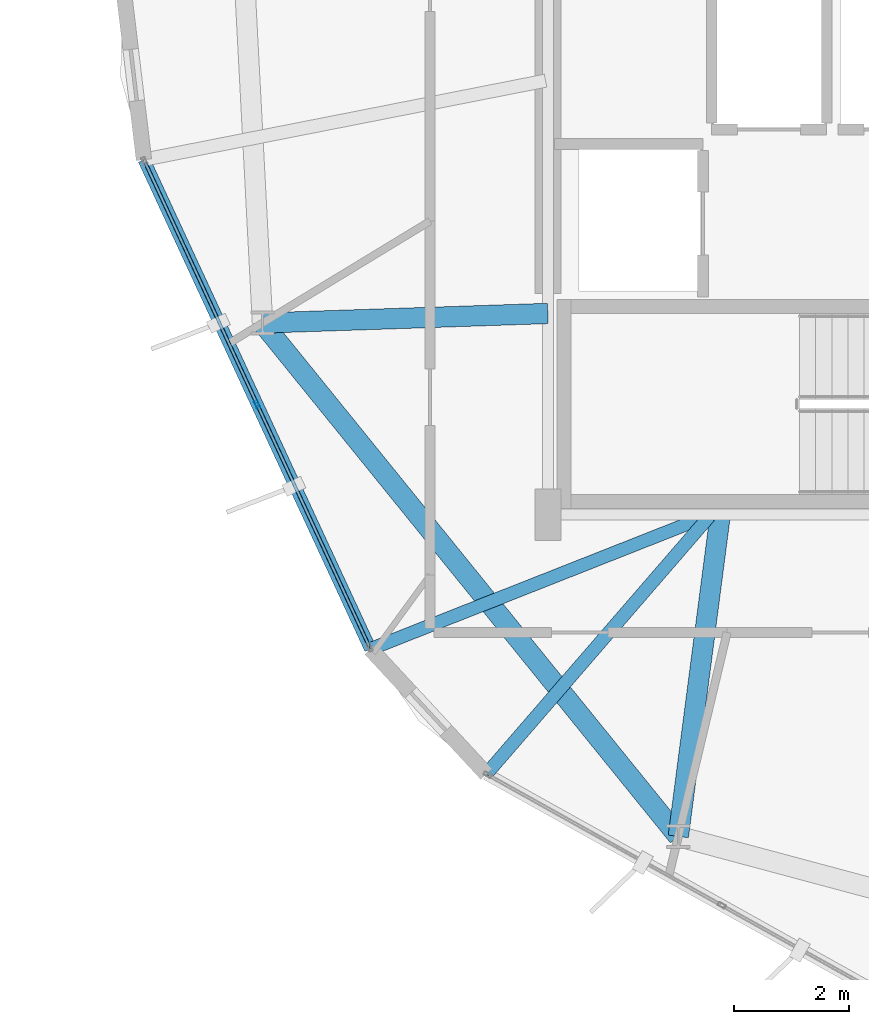
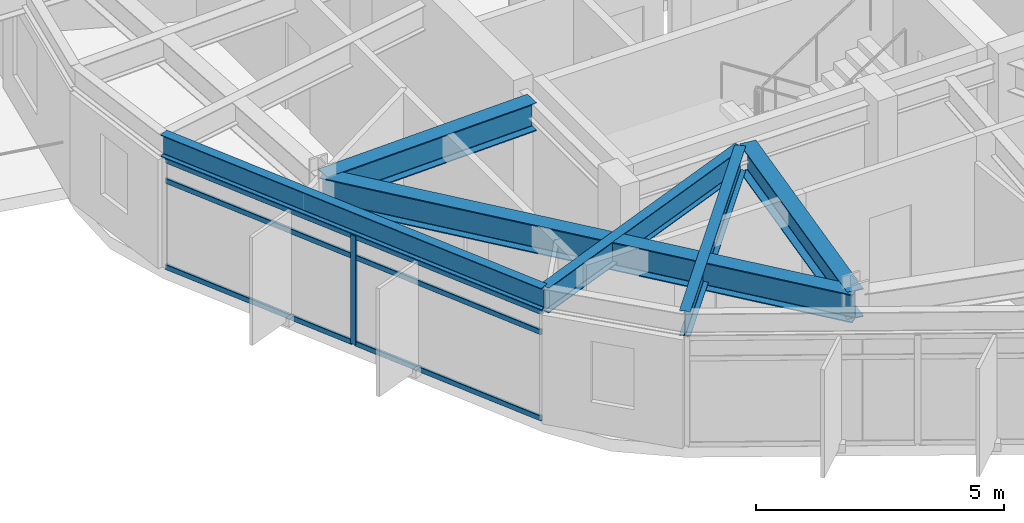
# One storey, part 3 of 25: 7 members, 6 beams, 1 element without a shape of its own.
"""IFC4 building model written with IfcOpenShell, lengths in metres."""

import ifcopenshell
import ifcopenshell.guid

model = None  # the IFC model being written
_history = None  # IfcOwnerHistory: only IFC2X3 demands one
_inside = {}  # id of a spatial element -> (the spatial element, [elements in it])
_under = {}  # id of a project, library or spatial element -> (it, [spatial elements below it])
_declared = {}  # id of a project -> (the project, [libraries it declares])
_typed = {}  # id of a type object -> (the type object, [elements of that type])
_made_of = {}  # id of a material, layer set ... -> (it, [elements and type objects made of it])


def new_model(schema):
    """Start an empty IFC model of exactly this schema.

    Asked for "IFC4X3", IfcOpenShell would pick the latest addendum, in which some entities
    have other attributes; the version numbers below select the first issue.
    IFC2X3 requires an IfcOwnerHistory on every rooted entity: one is made here for all.
    """
    global model, _history
    if schema == "IFC4X3":
        model = ifcopenshell.file(schema_version=(4, 3, 0, 0))
    else:
        model = ifcopenshell.file(schema=schema)
    _inside.clear()
    _under.clear()
    _declared.clear()
    _typed.clear()
    _made_of.clear()
    _history = None
    if model.schema == "IFC2X3":
        org = make("IfcOrganization", Name="unknown")
        user = make(
            "IfcPersonAndOrganization",
            ThePerson=make("IfcPerson", FamilyName="unknown"),
            TheOrganization=org,
        )
        app = make(
            "IfcApplication",
            ApplicationDeveloper=org,
            Version="unknown",
            ApplicationFullName="unknown",
            ApplicationIdentifier="unknown",
        )
        _history = make(
            "IfcOwnerHistory",
            OwningUser=user,
            OwningApplication=app,
            ChangeAction="ADDED",
            CreationDate=0,
        )
    return model


def make(cls, **values):
    """One entity of the class cls with the attributes given. An attribute that is None is left unset."""
    return model.create_entity(
        cls, **{name: value for name, value in values.items() if value is not None}
    )


def rooted(cls, **values):
    """An entity with a GlobalId (a new one), such as an element, a storey or a relation."""
    return make(cls, GlobalId=ifcopenshell.guid.new(), OwnerHistory=_history, **values)


def si_unit(unit_type, name, prefix=None):
    """IfcSIUnit, for example si_unit("LENGTHUNIT", "METRE", prefix="MILLI")."""
    return make("IfcSIUnit", UnitType=unit_type, Prefix=prefix, Name=name)


def assignment(units):
    """IfcUnitAssignment: the units of a project."""
    return None if units is None else make("IfcUnitAssignment", Units=units)


def point(xyz):
    """IfcCartesianPoint."""
    return None if xyz is None else make("IfcCartesianPoint", Coordinates=xyz)


def direction(xyz):
    """IfcDirection."""
    return None if xyz is None else make("IfcDirection", DirectionRatios=xyz)


def frame(location, z_axis=None, x_axis=None):
    """IfcAxis2Placement3D, a coordinate frame: its origin and axes. An axis left out is left unset."""
    return make(
        "IfcAxis2Placement3D",
        Location=point(location),
        Axis=direction(z_axis),
        RefDirection=direction(x_axis),
    )


def frame_2d(location, x_axis=None):
    """IfcAxis2Placement2D, a coordinate frame in the plane: its origin and x axis."""
    return make(
        "IfcAxis2Placement2D", Location=point(location), RefDirection=direction(x_axis)
    )


def origin():
    """The frame at (0, 0, 0) with its axes left unset."""
    return frame((0.0, 0.0, 0.0))


def origin_2d():
    """The frame at (0, 0) in the plane with its x axis left unset."""
    return frame_2d((0.0, 0.0))


def place(relative_to, where):
    """IfcLocalPlacement: puts the frame where relative to a parent placement (None: the world)."""
    return make(
        "IfcLocalPlacement", PlacementRelTo=relative_to, RelativePlacement=where
    )


def context(
    kind, dimensions, precision=None, world=None, true_north=None, identifier=None
):
    """IfcGeometricRepresentationContext, for example the 3D "Model" context."""
    return make(
        "IfcGeometricRepresentationContext",
        ContextIdentifier=identifier,
        ContextType=kind,
        CoordinateSpaceDimension=dimensions,
        Precision=precision,
        WorldCoordinateSystem=world,
        TrueNorth=true_north,
    )


def subcontext(parent, identifier, kind, view, scale=None):
    """IfcGeometricRepresentationSubContext, for example "Body" below "Model"."""
    return make(
        "IfcGeometricRepresentationSubContext",
        ContextIdentifier=identifier,
        ContextType=kind,
        ParentContext=parent,
        TargetScale=scale,
        TargetView=view,
    )


def project(units=None, contexts=None):
    """IfcProject with its units and contexts."""
    return rooted(
        "IfcProject",
        Name="project",
        RepresentationContexts=contexts,
        UnitsInContext=assignment(units),
    )


def spatial(cls, under=None, at=None, **own):
    """A site, building, storey or space (cls), placed at a placement, below another one or the project."""
    s = rooted(cls, ObjectPlacement=at, **own)
    if under is not None:
        _under.setdefault(under.id(), (under, []))[1].append(s)
    return s


def profile(cls, at=None, kind="AREA", **sizes):
    """A parametric profile (cls). Its sizes go by their IFC names, for example OverallWidth=200.0."""
    return make(cls, ProfileType=kind, Position=at, **sizes)


def hollow_rectangle(**sizes):
    """IfcRectangleHollowProfileDef."""
    return profile("IfcRectangleHollowProfileDef", **sizes)


def i_section(**sizes):
    """IfcIShapeProfileDef."""
    return profile("IfcIShapeProfileDef", **sizes)


def extrude(swept, where, along, depth):
    """IfcExtrudedAreaSolid: the profile swept, set in the frame where, extruded along a direction by depth."""
    return make(
        "IfcExtrudedAreaSolid",
        SweptArea=swept,
        Position=where,
        ExtrudedDirection=direction(along),
        Depth=depth,
    )


def shape(context_of_items, identifier, shape_type, items):
    """IfcShapeRepresentation: the items that make up one representation, for example the "Body"."""
    return make(
        "IfcShapeRepresentation",
        ContextOfItems=context_of_items,
        RepresentationIdentifier=identifier,
        RepresentationType=shape_type,
        Items=items,
    )


def material(Name=None, Category=None):
    """IfcMaterial."""
    return make("IfcMaterial", Name=Name, Category=Category)


def layer(
    of_material, thickness, ventilated=None, Name=None, Category=None, Priority=None
):
    """IfcMaterialLayer: one layer of a wall or slab, of a material (None: an air gap)."""
    return make(
        "IfcMaterialLayer",
        Material=of_material,
        LayerThickness=thickness,
        IsVentilated=ventilated,
        Name=Name,
        Category=Category,
        Priority=Priority,
    )


def layer_set(layers, Name=None):
    """IfcMaterialLayerSet."""
    return make("IfcMaterialLayerSet", MaterialLayers=layers, LayerSetName=Name)


def material_profile(
    of_material, cross_section, Name=None, Category=None, Priority=None
):
    """IfcMaterialProfile: a cross section and its material."""
    return make(
        "IfcMaterialProfile",
        Name=Name,
        Material=of_material,
        Profile=cross_section,
        Priority=Priority,
        Category=Category,
    )


def profile_set(profiles, Name=None, composite=None):
    """IfcMaterialProfileSet."""
    return make(
        "IfcMaterialProfileSet",
        Name=Name,
        MaterialProfiles=profiles,
        CompositeProfile=composite,
    )


def made_of(thing, what):
    """Note that an element or type object is made of a material, layer set ...; save() writes the relation."""
    if what is not None:
        _made_of.setdefault(what.id(), (what, []))[1].append(thing)
    return thing


def type_object(cls, material=None, **own):
    """A type object (cls), such as IfcWallType, which elements share."""
    return made_of(rooted(cls, **own), material)


def element(
    cls,
    number,
    at=None,
    inside=None,
    cuts=None,
    type_object=None,
    material=None,
    context=None,
    identifier="Body",
    shape_type=None,
    held_by="IfcProductDefinitionShape",
    body=None,
    shapes=None,
    **own,
):
    """One element of the class cls, such as IfcWall. Its Tag is "e" and its number.

    at: its placement. inside: the storey or other place that contains it. cuts: it is an
    opening in that element (IfcRelVoidsElement). A single representation is given by context,
    identifier, shape_type and body (its items); several are given by shapes. held_by: the class
    of the entity that holds the representations. save() writes the other relations.
    """
    e = rooted(cls, Tag="e%d" % number, ObjectPlacement=at, **own)
    if body is not None:
        shapes = [shape(context, identifier, shape_type, body)]
    if shapes is not None:
        e.Representation = make(held_by, Representations=shapes)
    if inside is not None:
        _inside.setdefault(inside.id(), (inside, []))[1].append(e)
    if cuts is not None:
        rooted(
            "IfcRelVoidsElement", RelatingBuildingElement=cuts, RelatedOpeningElement=e
        )
    if type_object is not None:
        _typed.setdefault(type_object.id(), (type_object, []))[1].append(e)
    return made_of(e, material)


def aggregate(whole, parts):
    """IfcRelAggregates: a whole, such as a stair, and the parts it consists of."""
    return rooted("IfcRelAggregates", RelatingObject=whole, RelatedObjects=parts)


def save(model, path):
    """Write the relations noted so far, then the file.

    IfcRelAggregates (storeys below a building ...), IfcRelContainedInSpatialStructure (elements
    in a storey), IfcRelDefinesByType, IfcRelAssociatesMaterial and IfcRelDeclares: one each for
    every whole, place, type object, material and project.
    """
    for whole, parts in _under.values():
        aggregate(whole, parts)
    for where, things in _inside.values():
        rooted(
            "IfcRelContainedInSpatialStructure",
            RelatedElements=things,
            RelatingStructure=where,
        )
    for kind, things in _typed.values():
        rooted("IfcRelDefinesByType", RelatedObjects=things, RelatingType=kind)
    for what, things in _made_of.values():
        rooted("IfcRelAssociatesMaterial", RelatedObjects=things, RelatingMaterial=what)
    for by, libraries in _declared.values():
        rooted("IfcRelDeclares", RelatingContext=by, RelatedDefinitions=libraries)
    model.write(path)


model = new_model("IFC4")

# Units and contexts
model_context = context("Model", 3, precision=1e-05, world=origin(), true_north=direction((0.0, 1.0)))
body_context = subcontext(model_context, "Body", "Model", "MODEL_VIEW")
ifc_project = project(units=[si_unit("LENGTHUNIT", "METRE"), si_unit("AREAUNIT", "SQUARE_METRE"), si_unit("VOLUMEUNIT", "CUBIC_METRE"), si_unit("PLANEANGLEUNIT", "RADIAN"), si_unit("MASSUNIT", "GRAM", prefix="KILO")], contexts=[model_context])

# Site, building, storey
site_placement = place(None, origin())
site = spatial("IfcSite", under=ifc_project, at=site_placement, CompositionType="ELEMENT")
building_placement = place(site_placement, origin())
building = spatial("IfcBuilding", under=site, at=building_placement, Name="Soratama Intermodal Tower", CompositionType="ELEMENT")
storey_placement = place(building_placement, frame((0.0, 0.0, 190.60009765625)))
storey = spatial("IfcBuildingStorey", under=building, at=storey_placement, Name="L47", CompositionType="ELEMENT", Elevation=190.60009765625)

# Beams
ifc_material_1 = material(Name="Structural steel ASTM A992 Grade 50", Category="steel")
ifc_material_profile_1 = material_profile(ifc_material_1, i_section(OverallWidth=0.35498046875, OverallDepth=0.695068359375, WebThickness=0.015380859375, FlangeThickness=0.02490234375, FilletRadius=0.01611328125, at=origin_2d()), Name="W27X146")
ifc_profile_set_1 = profile_set([ifc_material_profile_1], Name="Structural steel ASTM A992 Grade 50")
beam_type_1 = type_object("IfcBeamType", Name="BM-RING-W27X146", PredefinedType="BEAM", material=ifc_profile_set_1)
beam_1_placement = place(storey_placement, frame((27.635009765625, 18.333984375, 2.952392578125), z_axis=(0.629384551156, -0.777094001242, 0.0), x_axis=(0.777094001242, 0.629384551156, 0.0)))
element("IfcBeam", 1, at=beam_1_placement, inside=storey, type_object=beam_type_1, Name="BM-L47-RING-06", PredefinedType="BEAM", context=body_context, shape_type="SweptSolid", body=[
    extrude(i_section(OverallWidth=0.35498046875, OverallDepth=0.695068359375, WebThickness=0.015380859375, FlangeThickness=0.02490234375, FilletRadius=0.01611328125, at=origin_2d()), origin(), (0.0, 0.0, 1.0), 11.49560546875),
])
beam_2_placement = place(storey_placement, frame((32.60009765625, 18.5, 2.952392578125), z_axis=(-0.999441465401, -0.033417917907, 0.0), x_axis=(0.033417917907, -0.999441465401, 0.0)))
element("IfcBeam", 2, at=beam_2_placement, inside=storey, type_object=beam_type_1, Name="BM-L47-RAD-06", PredefinedType="BEAM", context=body_context, shape_type="SweptSolid", body=[
    extrude(i_section(OverallWidth=0.35498046875, OverallDepth=0.695068359375, WebThickness=0.015380859375, FlangeThickness=0.02490234375, FilletRadius=0.01611328125, at=origin_2d()), origin(), (0.0, 0.0, 1.0), 4.9677734375),
])
beam_3_placement = place(storey_placement, frame((35.60009765625, 15.0, 2.952392578125), z_axis=(-0.129280033694, -0.991608124658, 0.0), x_axis=(0.991608124658, -0.129280033694, 0.0)))
element("IfcBeam", 3, at=beam_3_placement, inside=storey, type_object=beam_type_1, Name="BM-L47-RAD-07", PredefinedType="BEAM", context=body_context, shape_type="SweptSolid", body=[
    extrude(i_section(OverallWidth=0.35498046875, OverallDepth=0.695068359375, WebThickness=0.015380859375, FlangeThickness=0.02490234375, FilletRadius=0.01611328125, at=origin_2d()), origin(), (0.0, 0.0, 1.0), 5.646484375),
])
ifc_material_2 = material(Name="Structural steel ASTM A992 Grade 50", Category="steel")
ifc_material_profile_2 = material_profile(ifc_material_2, i_section(OverallWidth=0.2099609375, OverallDepth=0.537109375, WebThickness=0.010986328125, FlangeThickness=0.017333984375, FilletRadius=0.012939453125, at=origin_2d()), Name="W21X68")
ifc_profile_set_2 = profile_set([ifc_material_profile_2], Name="Structural steel ASTM A992 Grade 50")
beam_type_2 = type_object("IfcBeamType", Name="BM-SPN-W21X68", PredefinedType="SPANDREL", material=ifc_profile_set_2)
beam_4_placement = place(storey_placement, frame((25.571044921875, 21.176025390625, 3.031494140625), z_axis=(0.42009738027, -0.907479030661, 0.0), x_axis=(0.907479030661, 0.42009738027, 0.0)))
element("IfcBeam", 4, at=beam_4_placement, inside=storey, type_object=beam_type_2, Name="BS-L47-F05", PredefinedType="SPANDREL", context=body_context, shape_type="SweptSolid", body=[
    extrude(i_section(OverallWidth=0.2099609375, OverallDepth=0.537109375, WebThickness=0.010986328125, FlangeThickness=0.017333984375, FilletRadius=0.012939453125, at=origin_2d()), origin(), (0.0, 0.0, 1.0), 9.38330078125),
])
ifc_material_3 = material(Name="Structural steel ASTM A992 Grade 50", Category="steel")
ifc_material_profile_3 = material_profile(ifc_material_3, i_section(OverallWidth=0.22900390625, OverallDepth=0.612060546875, WebThickness=0.011962890625, FlangeThickness=0.01953125, FilletRadius=0.012939453125, at=origin_2d()), Name="W24X84")
ifc_profile_set_3 = profile_set([ifc_material_profile_3], Name="Structural steel ASTM A992 Grade 50")
beam_type_3 = type_object("IfcBeamType", Name="BM-TIE-W24X84", PredefinedType="BEAM", material=ifc_profile_set_3)
beam_5_placement = place(storey_placement, frame((35.39892578125, 14.985107421875, 2.993896484375), z_axis=(-0.930111873651, -0.367276329883, 0.0), x_axis=(0.367276329883, -0.930111873651, 0.0)))
element("IfcBeam", 5, at=beam_5_placement, inside=storey, type_object=beam_type_3, Name="BM-L47-TIE1-05", PredefinedType="BEAM", context=body_context, shape_type="SweptSolid", body=[
    extrude(i_section(OverallWidth=0.22900390625, OverallDepth=0.612060546875, WebThickness=0.011962890625, FlangeThickness=0.01953125, FilletRadius=0.012939453125, at=origin_2d()), origin(), (0.0, 0.0, 1.0), 6.328369140625),
])
beam_6_placement = place(storey_placement, frame((35.408935546875, 14.969970703125, 2.993896484375), z_axis=(-0.654243611751, -0.756283872949, 0.0), x_axis=(0.756283872949, -0.654243611751, 0.0)))
element("IfcBeam", 6, at=beam_6_placement, inside=storey, type_object=beam_type_3, Name="BM-L47-TIE0-06", PredefinedType="BEAM", context=body_context, shape_type="SweptSolid", body=[
    extrude(i_section(OverallWidth=0.22900390625, OverallDepth=0.612060546875, WebThickness=0.011962890625, FlangeThickness=0.01953125, FilletRadius=0.012939453125, at=origin_2d()), origin(), (0.0, 0.0, 1.0), 5.928955078125),
])

# Curtain wall, members
ifc_material_4 = material(Name="Double-glazed aluminium curtain wall", Category="aluminium")
ifc_layer = layer(ifc_material_4, 0.159912109375)
ifc_layer_set = layer_set([ifc_layer], Name="Double-glazed aluminium curtain wall")
curtain_wall_type = type_object("IfcCurtainWallType", Name="CW-SYS-5", PredefinedType="NOTDEFINED", material=ifc_layer_set)
curtain_wall_placement = place(storey_placement, origin())
curtain_wall = element("IfcCurtainWall", 7, at=curtain_wall_placement, inside=storey, type_object=curtain_wall_type, Name="L47 Faceted Curtain Wall F05", PredefinedType="NOTDEFINED")
ifc_material_5 = material(Name="Anodised aluminium AA 6063-T6", Category="aluminium")
ifc_material_profile_4 = material_profile(ifc_material_5, hollow_rectangle(XDim=0.06494140625, YDim=0.139892578125, WallThickness=0.0048828125, InnerFilletRadius=0.0048828125, OuterFilletRadius=0.010009765625, at=origin_2d()), Name="CWM140X65X5")
ifc_profile_set_4 = profile_set([ifc_material_profile_4], Name="Anodised aluminium AA 6063-T6")
member_type_1 = type_object("IfcMemberType", Name="MT-CWM-5", PredefinedType="MULLION", material=ifc_profile_set_4)
member_1_placement = place(storey_placement, frame((27.5419921875, 16.91845703125, 0.0), z_axis=(0.0, 0.0, 1.0), x_axis=(0.907481505126, 0.42009203498, 0.0)))
member_1 = element("IfcMember", 8, at=member_1_placement, type_object=member_type_1, Name="CW-5 mullion 2", PredefinedType="MULLION", context=body_context, shape_type="SweptSolid", body=[
    extrude(hollow_rectangle(XDim=0.06494140625, YDim=0.139892578125, WallThickness=0.0048828125, InnerFilletRadius=0.0048828125, OuterFilletRadius=0.010009765625, at=origin_2d()), origin(), (0.0, 0.0, 1.0), 2.678955078125),
])
ifc_material_6 = material(Name="Anodised aluminium AA 6063-T6", Category="aluminium")
ifc_material_profile_5 = material_profile(ifc_material_6, hollow_rectangle(XDim=0.06005859375, YDim=0.1298828125, WallThickness=0.0048828125, InnerFilletRadius=0.0048828125, OuterFilletRadius=0.010009765625, at=origin_2d()), Name="CWT130X60X5")
ifc_profile_set_5 = profile_set([ifc_material_profile_5], Name="Anodised aluminium AA 6063-T6")
member_type_2 = type_object("IfcMemberType", Name="TT-CWT-2", PredefinedType="USERDEFINED", material=ifc_profile_set_5)
member_2_placement = place(storey_placement, frame((25.5966796875, 21.12109375, 0.02978515625), z_axis=(0.420097673445, -0.907478894942, 0.0), x_axis=(0.907478894942, 0.420097673445, 0.0)))
member_2 = element("IfcMember", 9, at=member_2_placement, type_object=member_type_2, Name="CW-5 transom 1.1", ObjectType="TRANSOM", PredefinedType="USERDEFINED", context=body_context, shape_type="SweptSolid", body=[
    extrude(hollow_rectangle(XDim=0.06005859375, YDim=0.1298828125, WallThickness=0.0048828125, InnerFilletRadius=0.0048828125, OuterFilletRadius=0.010009765625, at=origin_2d()), origin(), (0.0, 0.0, 1.0), 4.60107421875),
])
member_3_placement = place(storey_placement, frame((25.5966796875, 21.12109375, 2.14990234375), z_axis=(0.420097673445, -0.907478894942, 0.0), x_axis=(0.907478894942, 0.420097673445, 0.0)))
member_3 = element("IfcMember", 10, at=member_3_placement, type_object=member_type_2, Name="CW-5 transom 1.2", ObjectType="TRANSOM", PredefinedType="USERDEFINED", context=body_context, shape_type="SweptSolid", body=[
    extrude(hollow_rectangle(XDim=0.06005859375, YDim=0.1298828125, WallThickness=0.0048828125, InnerFilletRadius=0.0048828125, OuterFilletRadius=0.010009765625, at=origin_2d()), origin(), (0.0, 0.0, 1.0), 4.60107421875),
])
member_4_placement = place(storey_placement, frame((25.5966796875, 21.12109375, 2.64892578125), z_axis=(0.420097673445, -0.907478894942, 0.0), x_axis=(0.907478894942, 0.420097673445, 0.0)))
member_4 = element("IfcMember", 11, at=member_4_placement, type_object=member_type_2, Name="CW-5 transom 1.3", ObjectType="TRANSOM", PredefinedType="USERDEFINED", context=body_context, shape_type="SweptSolid", body=[
    extrude(hollow_rectangle(XDim=0.06005859375, YDim=0.1298828125, WallThickness=0.0048828125, InnerFilletRadius=0.0048828125, OuterFilletRadius=0.010009765625, at=origin_2d()), origin(), (0.0, 0.0, 1.0), 4.60107421875),
])
member_5_placement = place(storey_placement, frame((27.5546875, 16.891357421875, 0.02978515625), z_axis=(0.42007744522, -0.907488258887, 0.0), x_axis=(0.907488258887, 0.42007744522, 0.0)))
member_5 = element("IfcMember", 12, at=member_5_placement, type_object=member_type_2, Name="CW-5 transom 2.1", ObjectType="TRANSOM", PredefinedType="USERDEFINED", context=body_context, shape_type="SweptSolid", body=[
    extrude(hollow_rectangle(XDim=0.06005859375, YDim=0.1298828125, WallThickness=0.0048828125, InnerFilletRadius=0.0048828125, OuterFilletRadius=0.010009765625, at=origin_2d()), origin(), (0.0, 0.0, 1.0), 4.601318359375),
])
member_6_placement = place(storey_placement, frame((27.5546875, 16.891357421875, 2.14990234375), z_axis=(0.42007744522, -0.907488258887, 0.0), x_axis=(0.907488258887, 0.42007744522, 0.0)))
member_6 = element("IfcMember", 13, at=member_6_placement, type_object=member_type_2, Name="CW-5 transom 2.2", ObjectType="TRANSOM", PredefinedType="USERDEFINED", context=body_context, shape_type="SweptSolid", body=[
    extrude(hollow_rectangle(XDim=0.06005859375, YDim=0.1298828125, WallThickness=0.0048828125, InnerFilletRadius=0.0048828125, OuterFilletRadius=0.010009765625, at=origin_2d()), origin(), (0.0, 0.0, 1.0), 4.601318359375),
])
member_7_placement = place(storey_placement, frame((27.5546875, 16.891357421875, 2.64892578125), z_axis=(0.42007744522, -0.907488258887, 0.0), x_axis=(0.907488258887, 0.42007744522, 0.0)))
member_7 = element("IfcMember", 14, at=member_7_placement, type_object=member_type_2, Name="CW-5 transom 2.3", ObjectType="TRANSOM", PredefinedType="USERDEFINED", context=body_context, shape_type="SweptSolid", body=[
    extrude(hollow_rectangle(XDim=0.06005859375, YDim=0.1298828125, WallThickness=0.0048828125, InnerFilletRadius=0.0048828125, OuterFilletRadius=0.010009765625, at=origin_2d()), origin(), (0.0, 0.0, 1.0), 4.601318359375),
])
aggregate(curtain_wall, [member_1, member_2, member_3, member_4, member_5, member_6, member_7])

save(model, "model.ifc")
